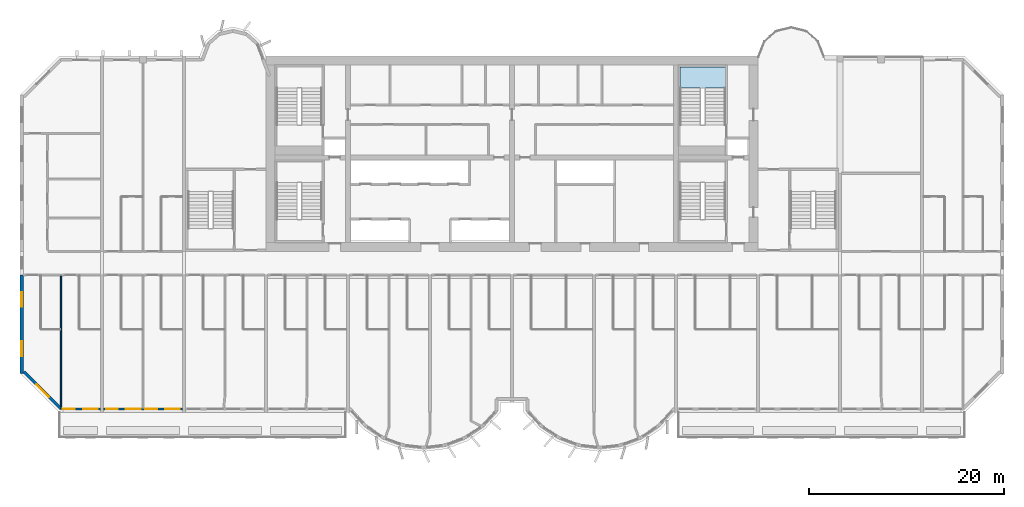
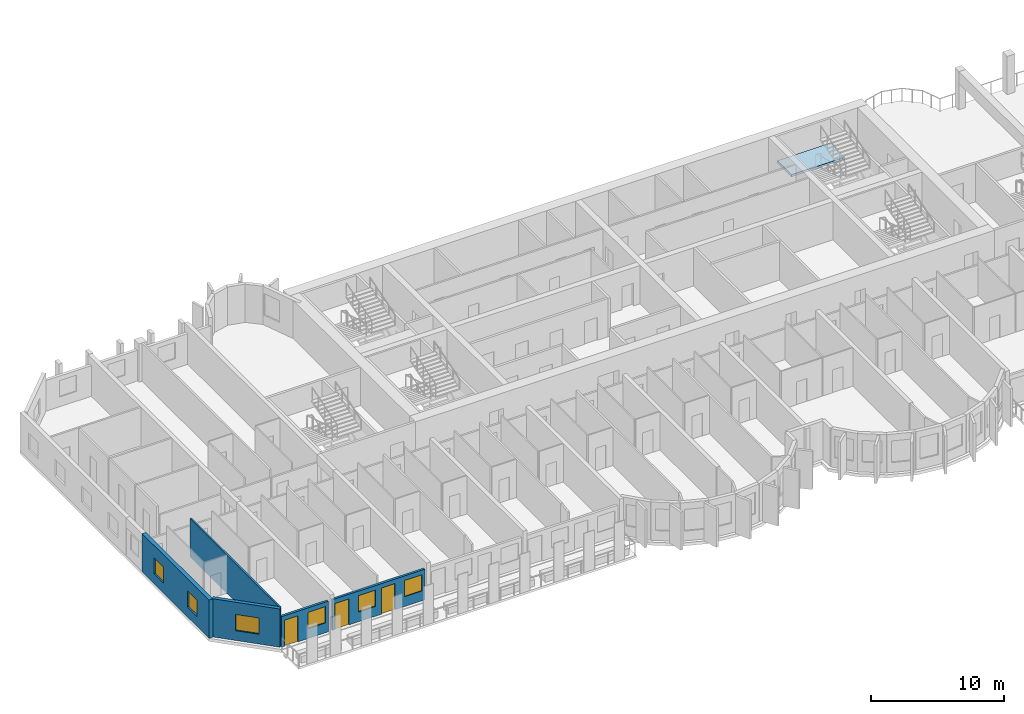
# One storey, part 2 of 15: 6 windows, 5 walls, 3 doors, 1 slab, 9 openings, 1 element without a shape of its own.
"""IFC4 building model written with IfcOpenShell, lengths in metres."""

from ifc_helpers import new_model, si_unit, direction, frame, frame_2d, origin, place, context, subcontext, project, spatial, polyline, rectangle, outline, extrude, source, transform, mapped, material, layer, layer_set, type_object, element, fill, aggregate, save


model = new_model("IFC4")

# Units and contexts
model_context = context("Model", 3, precision=1e-05, world=origin(), true_north=direction((0.0, 1.0)))
body_context = subcontext(model_context, "Body", "Model", "MODEL_VIEW")
ifc_project = project(units=[si_unit("LENGTHUNIT", "METRE"), si_unit("AREAUNIT", "SQUARE_METRE"), si_unit("VOLUMEUNIT", "CUBIC_METRE"), si_unit("PLANEANGLEUNIT", "RADIAN"), si_unit("MASSUNIT", "GRAM", prefix="KILO")], contexts=[model_context])

# Site, building, storey
site_placement = place(None, origin())
site = spatial("IfcSite", under=ifc_project, at=site_placement, CompositionType="ELEMENT")
building_placement = place(site_placement, origin())
building = spatial("IfcBuilding", under=site, at=building_placement, Name="Vanashikhar Sky Hotel", CompositionType="ELEMENT")
storey_placement = place(building_placement, frame((0.0, 0.0, 106.60009765625)))
storey = spatial("IfcBuildingStorey", under=building, at=storey_placement, Name="L25", CompositionType="ELEMENT", Elevation=106.60009765625)

# Stair, slab
ifc_material_1 = material(Name="Concrete M40", Category="concrete")
stair_type = type_object("IfcStairType", Name="Exit stair 2150", PredefinedType="DOUBLE_RETURN_STAIR", material=ifc_material_1)
stair_placement = place(storey_placement, origin())
stair = element("IfcStair", 1, at=stair_placement, inside=storey, type_object=stair_type, Name="L25 Exit stair 6", PredefinedType="DOUBLE_RETURN_STAIR")
ifc_layer_1 = layer(ifc_material_1, 0.199951171875)
ifc_layer_set_1 = layer_set([ifc_layer_1], Name="Stair landing 200")
slab_type = type_object("IfcSlabType", Name="Stair landing 200", PredefinedType="LANDING", material=ifc_layer_set_1)
shared_shape_1 = source(origin(), body_context, "Body", "SweptSolid", [
    extrude(outline(polyline([(72.25, 38.75), (72.25, 40.89990234375), (67.60009765625, 40.89990234375), (67.60009765625, 38.75), (72.25, 38.75)])), origin(), (0.0, 0.0, 1.0), 0.199951171875),
])
slab_placement = place(storey_placement, frame((0.0, 0.0, 1.066650390625)))
slab = element("IfcSlab", 2, at=slab_placement, type_object=slab_type, Name="ST-C4 landing 1", PredefinedType="LANDING", context=body_context, shape_type="MappedRepresentation", body=[
    mapped(shared_shape_1, transform((0.0, 0.0, 0.0), scale=1.0)),
])
aggregate(stair, [slab])

# Wall, openings, windows
ifc_material_2 = material(Name="Concrete M70", Category="concrete")
ifc_layer_2 = layer(ifc_material_2, 0.35009765625)
ifc_layer_set_2 = layer_set([ifc_layer_2], Name="RC shear wall 350 Concrete M70")
wall_type_1 = type_object("IfcWallType", Name="RC shear wall 350 Concrete M70", PredefinedType="SHEAR", material=ifc_layer_set_2)
shared_shape_2 = source(origin(), body_context, "Body", "SweptSolid", [
    extrude(rectangle(XDim=10.10009765625, YDim=0.35009765625, at=frame_2d((5.050048828125, 0.0))), origin(), (0.0, 0.0, 1.0), 3.52001953125),
])
wall_1_placement = place(storey_placement, frame((0.175048828125, 9.5, 0.0), z_axis=(0.0, 0.0, 1.0), x_axis=(0.0, 1.0, 0.0)))
wall_1 = element("IfcWall", 3, at=wall_1_placement, inside=storey, type_object=wall_type_1, Name="CW-L25-XW01-1", PredefinedType="SHEAR", context=body_context, shape_type="MappedRepresentation", body=[
    mapped(shared_shape_2, transform((0.0, 0.0, 0.0), scale=1.0)),
])
shared_shape_3 = source(origin(), body_context, "Body", "SweptSolid", [
    extrude(rectangle(XDim=1.5, YDim=1.5, at=frame_2d((0.75, 0.75))), frame((0.0, 0.18505859375, 0.0), z_axis=(0.0, -1.0, 0.0), x_axis=(1.0, 0.0, 0.0)), (0.0, 0.0, 1.0), 0.3701171875),
])
opening_1_placement = place(wall_1_placement, frame((1.77490234375, 0.0, 0.89990234375)))
opening_1 = element("IfcOpeningElement", 4, at=opening_1_placement, cuts=wall_1, Name="Opening WN-1", PredefinedType="OPENING", context=body_context, shape_type="MappedRepresentation", body=[
    mapped(shared_shape_3, transform((0.0, 0.0, 0.0), scale=1.0)),
])
opening_2_placement = place(wall_1_placement, frame((6.824951171875, 0.0, 0.89990234375)))
opening_2 = element("IfcOpeningElement", 5, at=opening_2_placement, cuts=wall_1, Name="Opening WN-1", PredefinedType="OPENING", context=body_context, shape_type="MappedRepresentation", body=[
    mapped(shared_shape_3, transform((0.0, 0.0, 0.0), scale=1.0)),
])
ifc_material_3 = material(Name="Glass", Category="glass")
window_type_1 = type_object("IfcWindowType", Name="Window 1500 x 1500", PartitioningType="SINGLE_PANEL", PredefinedType="WINDOW", material=ifc_material_3)
shared_shape_4 = source(origin(), body_context, "Body", "SweptSolid", [
    extrude(rectangle(XDim=1.5, YDim=1.5, at=frame_2d((0.75, 0.75))), frame((0.0, 0.030029296875, 0.0), z_axis=(0.0, -1.0, 0.0), x_axis=(1.0, 0.0, 0.0)), (0.0, 0.0, 1.0), 0.06005859375),
])
window_1_placement = place(opening_1_placement, origin())
window_1 = element("IfcWindow", 6, at=window_1_placement, inside=storey, type_object=window_type_1, Name="Window WN-1", OverallHeight=1.5, OverallWidth=1.5, PartitioningType="SINGLE_PANEL", PredefinedType="WINDOW", context=body_context, shape_type="MappedRepresentation", body=[
    mapped(shared_shape_4, transform((0.0, 0.0, 0.0), scale=1.0)),
])
fill(opening_1, window_1)
window_2_placement = place(opening_2_placement, origin())
window_2 = element("IfcWindow", 7, at=window_2_placement, inside=storey, type_object=window_type_1, Name="Window WN-1", OverallHeight=1.5, OverallWidth=1.5, PartitioningType="SINGLE_PANEL", PredefinedType="WINDOW", context=body_context, shape_type="MappedRepresentation", body=[
    mapped(shared_shape_4, transform((0.0, 0.0, 0.0), scale=1.0)),
])
fill(opening_2, window_2)

# Wall, opening, window
ifc_material_4 = material(Name="Concrete M50", Category="concrete")
ifc_layer_3 = layer(ifc_material_4, 0.300048828125)
ifc_layer_set_3 = layer_set([ifc_layer_3], Name="Lobe wall 300")
wall_type_2 = type_object("IfcWallType", Name="Lobe wall 300", PredefinedType="SOLIDWALL", material=ifc_layer_set_3)
shared_shape_5 = source(origin(), body_context, "Body", "SweptSolid", [
    extrude(rectangle(XDim=5.32568359375, YDim=0.300048828125, at=frame_2d((2.662841796875, 0.0))), origin(), (0.0, 0.0, 1.0), 3.52001953125),
])
wall_2_placement = place(storey_placement, frame((0.39990234375, 9.665771484375, 0.0), z_axis=(0.0, 0.0, 1.0), x_axis=(0.707106781187, -0.707106781187, 0.0)))
wall_2 = element("IfcWall", 8, at=wall_2_placement, inside=storey, type_object=wall_type_2, Name="Corner wall", PredefinedType="SOLIDWALL", context=body_context, shape_type="MappedRepresentation", body=[
    mapped(shared_shape_5, transform((0.0, 0.0, 0.0), scale=1.0)),
])
shared_shape_6 = source(origin(), body_context, "Body", "SweptSolid", [
    extrude(rectangle(XDim=1.800048828125, YDim=1.5, at=frame_2d((0.89990234375, 0.75))), frame((0.0, 0.16015625, 0.0), z_axis=(0.0, -1.0, 0.0), x_axis=(1.0, 0.0, 0.0)), (0.0, 0.0, 1.0), 0.320068359375),
])
opening_3_placement = place(wall_2_placement, frame((1.853759765625, 0.0, 0.89990234375)))
opening_3 = element("IfcOpeningElement", 9, at=opening_3_placement, cuts=wall_2, Name="Opening WN-4", PredefinedType="OPENING", context=body_context, shape_type="MappedRepresentation", body=[
    mapped(shared_shape_6, transform((0.0, 0.0, 0.0), scale=1.0)),
])
window_type_2 = type_object("IfcWindowType", Name="Corner window 1800 x 1500", PartitioningType="SINGLE_PANEL", PredefinedType="WINDOW", material=ifc_material_3)
shared_shape_7 = source(origin(), body_context, "Body", "SweptSolid", [
    extrude(rectangle(XDim=1.800048828125, YDim=1.5, at=frame_2d((0.89990234375, 0.75))), frame((0.0, 0.030029296875, 0.0), z_axis=(0.0, -1.0, 0.0), x_axis=(1.0, 0.0, 0.0)), (0.0, 0.0, 1.0), 0.06005859375),
])
window_3_placement = place(opening_3_placement, origin())
window_3 = element("IfcWindow", 10, at=window_3_placement, inside=storey, type_object=window_type_2, Name="Window WN-4", OverallHeight=1.5, OverallWidth=1.800048828125, PartitioningType="SINGLE_PANEL", PredefinedType="WINDOW", context=body_context, shape_type="MappedRepresentation", body=[
    mapped(shared_shape_7, transform((0.0, 0.0, 0.0), scale=1.0)),
])
fill(opening_3, window_3)

# Wall, openings, window, door
ifc_layer_4 = layer(ifc_material_4, 0.199951171875)
ifc_layer_set_4 = layer_set([ifc_layer_4], Name="Front window wall 200")
wall_type_3 = type_object("IfcWallType", Name="Front window wall 200", PredefinedType="SOLIDWALL", material=ifc_layer_set_4)
shared_shape_8 = source(origin(), body_context, "Body", "SweptSolid", [
    extrude(rectangle(XDim=4.080078125, YDim=0.199951171875, at=frame_2d((2.0400390625, 0.0))), origin(), (0.0, 0.0, 1.0), 2.81982421875),
])
wall_3_placement = place(storey_placement, frame((4.14501953125, 5.85009765625, 0.0), z_axis=(0.0, 0.0, 1.0), x_axis=(1.0, 0.0, 0.0)))
wall_3 = element("IfcWall", 11, at=wall_3_placement, inside=storey, type_object=wall_type_3, Name="Front window wall", PredefinedType="SOLIDWALL", context=body_context, shape_type="MappedRepresentation", body=[
    mapped(shared_shape_8, transform((0.0, 0.0, 0.0), scale=1.0)),
])
shared_shape_9 = source(origin(), body_context, "Body", "SweptSolid", [
    extrude(rectangle(XDim=1.199951171875, YDim=2.39990234375, at=frame_2d((0.60009765625, 1.199951171875))), frame((0.0, 0.10986328125, 0.0), z_axis=(0.0, -1.0, 0.0), x_axis=(1.0, 0.0, 0.0)), (0.0, 0.0, 1.0), 0.219970703125),
])
opening_4_placement = place(wall_3_placement, frame((0.25, 0.0, 0.0)))
opening_4 = element("IfcOpeningElement", 12, at=opening_4_placement, cuts=wall_3, Name="Opening BD-01", PredefinedType="OPENING", context=body_context, shape_type="MappedRepresentation", body=[
    mapped(shared_shape_9, transform((0.0, 0.0, 0.0), scale=1.0)),
])
shared_shape_10 = source(origin(), body_context, "Body", "SweptSolid", [
    extrude(rectangle(XDim=1.5, YDim=1.5, at=frame_2d((0.75, 0.75))), frame((0.0, 0.10986328125, 0.0), z_axis=(0.0, -1.0, 0.0), x_axis=(1.0, 0.0, 0.0)), (0.0, 0.0, 1.0), 0.219970703125),
])
opening_5_placement = place(wall_3_placement, frame((2.330078125, 0.0, 0.89990234375)))
opening_5 = element("IfcOpeningElement", 13, at=opening_5_placement, cuts=wall_3, Name="Opening WN-1", PredefinedType="OPENING", context=body_context, shape_type="MappedRepresentation", body=[
    mapped(shared_shape_10, transform((0.0, 0.0, 0.0), scale=1.0)),
])
window_4_placement = place(opening_5_placement, origin())
window_4 = element("IfcWindow", 14, at=window_4_placement, inside=storey, type_object=window_type_1, Name="Window WN-1", OverallHeight=1.5, OverallWidth=1.5, PartitioningType="SINGLE_PANEL", PredefinedType="WINDOW", context=body_context, shape_type="MappedRepresentation", body=[
    mapped(shared_shape_4, transform((0.0, 0.0, 0.0), scale=1.0)),
])
fill(opening_5, window_4)
ifc_material_5 = material(Name="Aluminium", Category="aluminium")
door_type = type_object("IfcDoorType", Name="Balcony sliding door 1200 x 2400", OperationType="NOTDEFINED", PredefinedType="DOOR", material=ifc_material_5)
shared_shape_11 = source(origin(), body_context, "Body", "SweptSolid", [
    extrude(rectangle(XDim=1.199951171875, YDim=2.39990234375, at=frame_2d((0.60009765625, 1.199951171875))), frame((0.0, 0.02490234375, 0.0), z_axis=(0.0, -1.0, 0.0), x_axis=(1.0, 0.0, 0.0)), (0.0, 0.0, 1.0), 0.050048828125),
])
door_1_placement = place(opening_4_placement, origin())
door_1 = element("IfcDoor", 15, at=door_1_placement, inside=storey, type_object=door_type, Name="Balcony sliding door", OperationType="SLIDING_TO_LEFT", OverallHeight=2.39990234375, OverallWidth=1.199951171875, PredefinedType="DOOR", context=body_context, shape_type="MappedRepresentation", body=[
    mapped(shared_shape_11, transform((0.0, 0.0, 0.0), scale=1.0)),
])
fill(opening_4, door_1)

# Wall, openings, windows, doors
shared_shape_12 = source(origin(), body_context, "Body", "SweptSolid", [
    extrude(rectangle(XDim=8.050048828125, YDim=0.199951171875, at=frame_2d((4.02490234375, 0.0))), origin(), (0.0, 0.0, 1.0), 2.81982421875),
])
wall_4_placement = place(storey_placement, frame((8.574951171875, 5.85009765625, 0.0), z_axis=(0.0, 0.0, 1.0), x_axis=(1.0, 0.0, 0.0)))
wall_4 = element("IfcWall", 16, at=wall_4_placement, inside=storey, type_object=wall_type_3, Name="Front window wall", PredefinedType="SOLIDWALL", context=body_context, shape_type="MappedRepresentation", body=[
    mapped(shared_shape_12, transform((0.0, 0.0, 0.0), scale=1.0)),
])
opening_6_placement = place(wall_4_placement, frame((0.25, 0.0, 0.0)))
opening_6 = element("IfcOpeningElement", 17, at=opening_6_placement, cuts=wall_4, Name="Opening BD-02", PredefinedType="OPENING", context=body_context, shape_type="MappedRepresentation", body=[
    mapped(shared_shape_9, transform((0.0, 0.0, 0.0), scale=1.0)),
])
opening_7_placement = place(wall_4_placement, frame((2.27490234375, 0.0, 0.89990234375)))
opening_7 = element("IfcOpeningElement", 18, at=opening_7_placement, cuts=wall_4, Name="Opening WN-1", PredefinedType="OPENING", context=body_context, shape_type="MappedRepresentation", body=[
    mapped(shared_shape_10, transform((0.0, 0.0, 0.0), scale=1.0)),
])
opening_8_placement = place(wall_4_placement, frame((4.27490234375, 0.0, 0.0)))
opening_8 = element("IfcOpeningElement", 19, at=opening_8_placement, cuts=wall_4, Name="Opening BD-03", PredefinedType="OPENING", context=body_context, shape_type="MappedRepresentation", body=[
    mapped(shared_shape_9, transform((0.0, 0.0, 0.0), scale=1.0)),
])
opening_9_placement = place(wall_4_placement, frame((6.300048828125, 0.0, 0.89990234375)))
opening_9 = element("IfcOpeningElement", 20, at=opening_9_placement, cuts=wall_4, Name="Opening WN-1", PredefinedType="OPENING", context=body_context, shape_type="MappedRepresentation", body=[
    mapped(shared_shape_10, transform((0.0, 0.0, 0.0), scale=1.0)),
])
window_5_placement = place(opening_7_placement, origin())
window_5 = element("IfcWindow", 21, at=window_5_placement, inside=storey, type_object=window_type_1, Name="Window WN-1", OverallHeight=1.5, OverallWidth=1.5, PartitioningType="SINGLE_PANEL", PredefinedType="WINDOW", context=body_context, shape_type="MappedRepresentation", body=[
    mapped(shared_shape_4, transform((0.0, 0.0, 0.0), scale=1.0)),
])
fill(opening_7, window_5)
window_6_placement = place(opening_9_placement, origin())
window_6 = element("IfcWindow", 22, at=window_6_placement, inside=storey, type_object=window_type_1, Name="Window WN-1", OverallHeight=1.5, OverallWidth=1.5, PartitioningType="SINGLE_PANEL", PredefinedType="WINDOW", context=body_context, shape_type="MappedRepresentation", body=[
    mapped(shared_shape_4, transform((0.0, 0.0, 0.0), scale=1.0)),
])
fill(opening_9, window_6)
door_2_placement = place(opening_6_placement, origin())
door_2 = element("IfcDoor", 23, at=door_2_placement, inside=storey, type_object=door_type, Name="Balcony sliding door", OperationType="SLIDING_TO_RIGHT", OverallHeight=2.39990234375, OverallWidth=1.199951171875, PredefinedType="DOOR", context=body_context, shape_type="MappedRepresentation", body=[
    mapped(shared_shape_11, transform((0.0, 0.0, 0.0), scale=1.0)),
])
fill(opening_6, door_2)
door_3_placement = place(opening_8_placement, origin())
door_3 = element("IfcDoor", 24, at=door_3_placement, inside=storey, type_object=door_type, Name="Balcony sliding door", OperationType="SLIDING_TO_LEFT", OverallHeight=2.39990234375, OverallWidth=1.199951171875, PredefinedType="DOOR", context=body_context, shape_type="MappedRepresentation", body=[
    mapped(shared_shape_11, transform((0.0, 0.0, 0.0), scale=1.0)),
])
fill(opening_8, door_3)

# Wall
ifc_material_6 = material(Name="Gypsum plasterboard partition")
ifc_layer_5 = layer(ifc_material_6, 0.14990234375)
ifc_layer_set_5 = layer_set([ifc_layer_5], Name="Corridor and demising partition 150")
wall_type_4 = type_object("IfcWallType", Name="Corridor and demising partition 150", PredefinedType="PARTITIONING", material=ifc_layer_set_5)
shared_shape_13 = source(origin(), body_context, "Body", "SweptSolid", [
    extrude(rectangle(XDim=13.447021484375, YDim=0.14990234375, at=frame_2d((6.7236328125, 0.0))), origin(), (0.0, 0.0, 1.0), 3.52001953125),
])
wall_5_placement = place(storey_placement, frame((4.199951171875, 6.077880859375, 0.0), z_axis=(0.0, 0.0, 1.0), x_axis=(0.0, 1.0, 0.0)))
element("IfcWall", 25, at=wall_5_placement, inside=storey, type_object=wall_type_4, Name="W-L25-PW007", PredefinedType="PARTITIONING", context=body_context, shape_type="MappedRepresentation", body=[
    mapped(shared_shape_13, transform((0.0, 0.0, 0.0), scale=1.0)),
])

save(model, "model.ifc")
